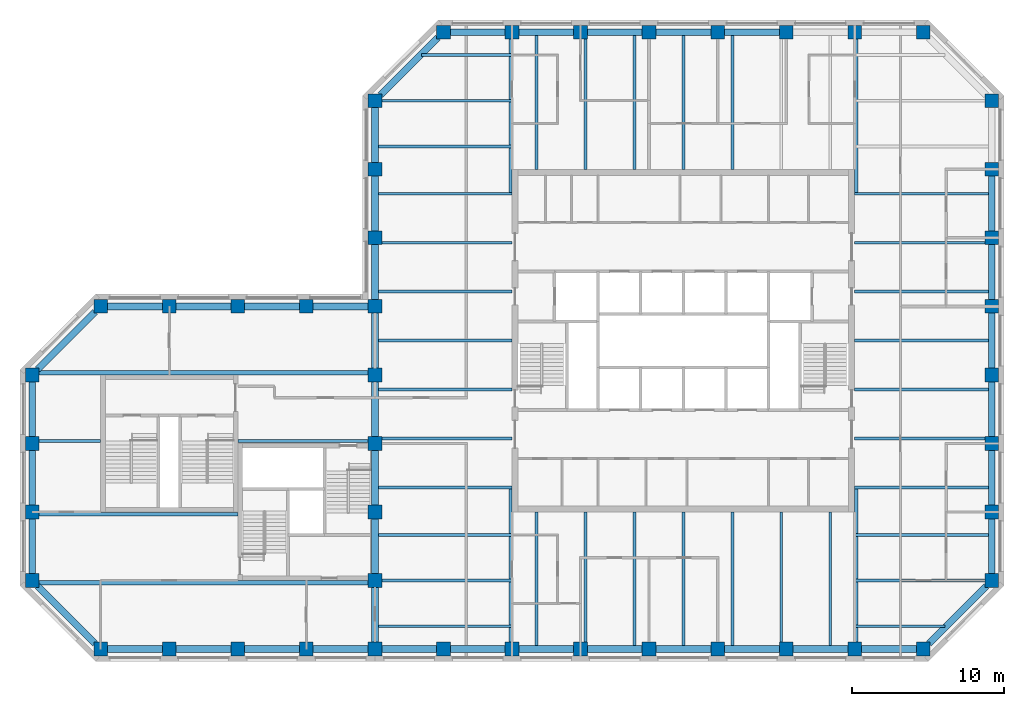
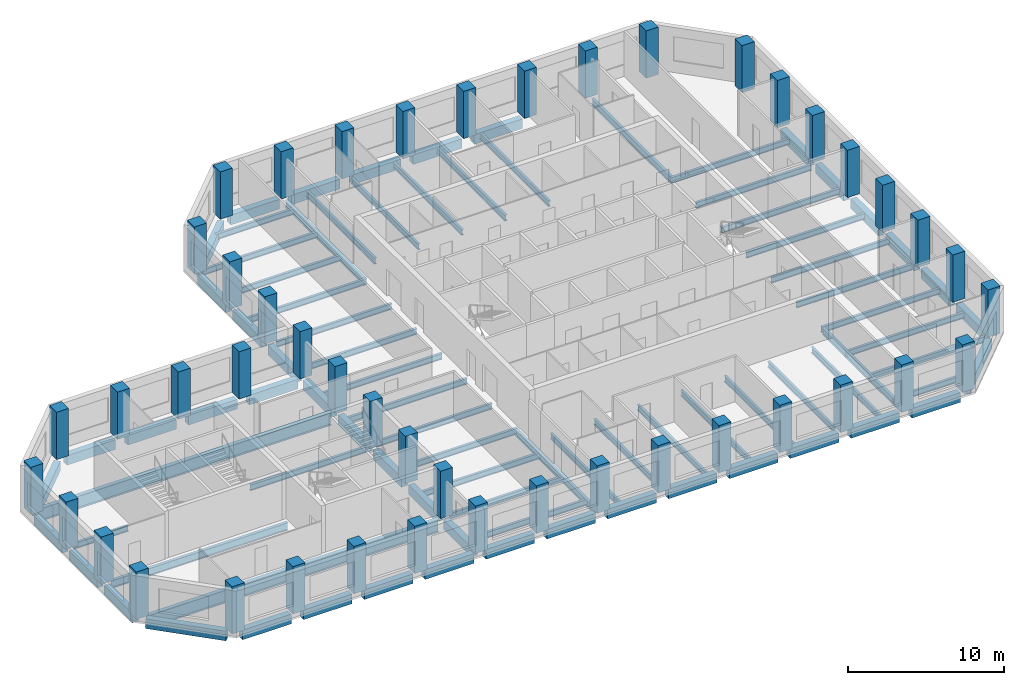
# One storey, part 1 of 9: 86 beams, 45 columns.
"""IFC4 building model written with IfcOpenShell, lengths in metres."""

from ifc_helpers import new_model, si_unit, direction, frame, origin, origin_2d, place, context, subcontext, project, spatial, rectangle, i_section, extrude, material, material_profile, profile_set, type_object, element, save


model = new_model("IFC4")

# Units and contexts
model_context = context("Model", 3, precision=1e-05, world=origin(), true_north=direction((0.0, 1.0)))
body_context = subcontext(model_context, "Body", "Model", "MODEL_VIEW")
ifc_project = project(units=[si_unit("LENGTHUNIT", "METRE"), si_unit("AREAUNIT", "SQUARE_METRE"), si_unit("VOLUMEUNIT", "CUBIC_METRE"), si_unit("PLANEANGLEUNIT", "RADIAN"), si_unit("MASSUNIT", "GRAM", prefix="KILO")], contexts=[model_context])

# Site, building, storey
site_placement = place(None, origin())
site = spatial("IfcSite", under=ifc_project, at=site_placement, CompositionType="ELEMENT")
building_placement = place(site_placement, origin())
building = spatial("IfcBuilding", under=site, at=building_placement, Name="Quoin Convention Tower", CompositionType="ELEMENT")
storey_placement = place(building_placement, frame((0.0, 0.0, 252.60009765625)))
storey = spatial("IfcBuildingStorey", under=building, at=storey_placement, Name="L66", CompositionType="ELEMENT", Elevation=252.60009765625)

# Columns
ifc_material_1 = material(Name="Concrete C50", Category="concrete")
ifc_material_profile_1 = material_profile(ifc_material_1, rectangle(XDim=0.89990234375, YDim=0.89990234375, at=origin_2d()), Name="RC 900x900")
ifc_profile_set_1 = profile_set([ifc_material_profile_1], Name="Concrete C50")
column_type = type_object("IfcColumnType", Name="RC 900x900 C50", PredefinedType="COLUMN", material=ifc_profile_set_1)
for number, where, z_axis, x_axis, name in (
    (1, (18.0, 40.5, 0.0), (0.0, 0.0, 1.0), (1.0, 0.0, 0.0), "col-L66-18000_40500"),
    (2, (22.5, 40.5, 0.0), (0.0, 0.0, 1.0), (1.0, 0.0, 0.0), "col-L66-22500_40500"),
    (3, (27.0, 40.5, 0.0), (0.0, 0.0, 1.0), (1.0, 0.0, 0.0), "col-L66-27000_40500"),
    (4, (31.5, 40.5, 0.0), (0.0, 0.0, 1.0), (1.0, 0.0, 0.0), "col-L66-31500_40500"),
    (5, (36.0, 40.5, 0.0), (0.0, 0.0, 1.0), (1.0, 0.0, 0.0), "col-L66-36000_40500"),
    (6, (40.5, 40.5, 0.0), (0.0, 0.0, 1.0), (1.0, 0.0, 0.0), "col-L66-40500_40500"),
    (7, (45.0, 40.5, 0.0), (0.0, 0.0, 1.0), (1.0, 0.0, 0.0), "col-L66-45000_40500"),
    (8, (49.5, 40.5, 0.0), (0.0, 0.0, 1.0), (1.0, 0.0, 0.0), "col-L66-49500_40500"),
    (9, (54.0, 40.5, 0.0), (0.0, 0.0, 1.0), (1.0, 0.0, 0.0), "col-L66-54000_40500"),
    (10, (58.5, 40.5, 0.0), (0.0, 0.0, 1.0), (1.0, 0.0, 0.0), "col-L66-58500_40500"),
    (11, (63.0, 40.5, 0.0), (0.0, 0.0, 1.0), (1.0, 0.0, 0.0), "col-L66-63000_40500"),
    (12, (67.5, 40.5, 0.0), (0.0, 0.0, 1.0), (1.0, 0.0, 0.0), "col-L66-67500_40500"),
    (13, (72.0, 40.5, 0.0), (0.0, 0.0, 1.0), (1.0, 0.0, 0.0), "col-L66-72000_40500"),
    (14, (13.5, 45.0, 0.0), (0.0, 0.0, 1.0), (1.0, 0.0, 0.0), "col-L66-13500_45000"),
    (15, (36.0, 45.0, 0.0), (0.0, 0.0, 1.0), (1.0, 0.0, 0.0), "web-L66-36000_45000"),
    (16, (76.5, 45.0, 0.0), (0.0, 0.0, 1.0), (1.0, 0.0, 0.0), "col-L66-76500_45000"),
    (17, (13.5, 49.5, 0.0), (0.0, 0.0, 1.0), (1.0, 0.0, 0.0), "col-L66-13500_49500"),
    (18, (36.0, 49.5, 0.0), (0.0, 0.0, 1.0), (1.0, 0.0, 0.0), "web-L66-36000_49500"),
    (19, (76.5, 49.5, 0.0), (0.0, 0.0, 1.0), (1.0, 0.0, 0.0), "col-L66-76500_49500"),
    (20, (13.5, 54.0, 0.0), (0.0, 0.0, 1.0), (1.0, 0.0, 0.0), "col-L66-13500_54000"),
    (21, (36.0, 54.0, 0.0), (0.0, 0.0, 1.0), (1.0, 0.0, 0.0), "web-L66-36000_54000"),
    (22, (76.5, 54.0, 0.0), (0.0, 0.0, 1.0), (1.0, 0.0, 0.0), "col-L66-76500_54000"),
    (23, (13.5, 58.5, 0.0), (0.0, 0.0, 1.0), (1.0, 0.0, 0.0), "col-L66-13500_58500"),
    (24, (36.0, 58.5, 0.0), (0.0, 0.0, 1.0), (1.0, 0.0, 0.0), "web-L66-36000_58500"),
    (25, (76.5, 58.5, 0.0), (0.0, 0.0, 1.0), (1.0, 0.0, 0.0), "col-L66-76500_58500"),
    (26, (18.0, 63.0, 0.0), (0.0, 0.0, 1.0), (1.0, 0.0, 0.0), "col-L66-18000_63000"),
    (27, (22.5, 63.0, 0.0), (0.0, 0.0, 1.0), (1.0, 0.0, 0.0), "col-L66-22500_63000"),
    (28, (27.0, 63.0, 0.0), (0.0, 0.0, 1.0), (1.0, 0.0, 0.0), "col-L66-27000_63000"),
    (29, (31.5, 63.0, 0.0), (0.0, 0.0, 1.0), (1.0, 0.0, 0.0), "col-L66-31500_63000"),
    (30, (36.0, 63.0, 0.0), (0.0, 0.0, 1.0), (1.0, 0.0, 0.0), "col-L66-36000_63000"),
    (31, (76.5, 63.0, 0.0), (0.0, 0.0, 1.0), (1.0, 0.0, 0.0), "col-L66-76500_63000"),
    (32, (36.0, 67.5, 0.0), (0.0, 0.0, 1.0), (1.0, 0.0, 0.0), "col-L66-36000_67500"),
    (33, (76.5, 67.5, 0.0), (0.0, 0.0, 1.0), (1.0, 0.0, 0.0), "col-L66-76500_67500"),
    (34, (36.0, 72.0, 0.0), (0.0, 0.0, 1.0), (1.0, 0.0, 0.0), "col-L66-36000_72000"),
    (35, (76.5, 72.0, 0.0), (0.0, 0.0, 1.0), (1.0, 0.0, 0.0), "col-L66-76500_72000"),
    (36, (36.0, 76.5, 0.0), (0.0, 0.0, 1.0), (1.0, 0.0, 0.0), "col-L66-36000_76500"),
    (37, (76.5, 76.5, 0.0), (0.0, 0.0, 1.0), (1.0, 0.0, 0.0), "col-L66-76500_76500"),
    (38, (40.5, 81.0, 0.0), (0.0, 0.0, 1.0), (1.0, 0.0, 0.0), "col-L66-40500_81000"),
    (39, (45.0, 81.0, 0.0), (0.0, 0.0, 1.0), (1.0, 0.0, 0.0), "col-L66-45000_81000"),
    (40, (49.5, 81.0, 0.0), (0.0, 0.0, 1.0), (1.0, 0.0, 0.0), "col-L66-49500_81000"),
    (41, (54.0, 81.0, 0.0), (0.0, 0.0, 1.0), (1.0, 0.0, 0.0), "col-L66-54000_81000"),
    (42, (58.5, 81.0, 0.0), (0.0, 0.0, 1.0), (1.0, 0.0, 0.0), "col-L66-58500_81000"),
    (43, (63.0, 81.0, 0.0), (0.0, 0.0, 1.0), (1.0, 0.0, 0.0), "col-L66-63000_81000"),
    (44, (67.5, 81.0, 0.0), (0.0, 0.0, 1.0), (1.0, 0.0, 0.0), "col-L66-67500_81000"),
    (45, (72.0, 81.0, 0.0), (0.0, 0.0, 1.0), (1.0, 0.0, 0.0), "col-L66-72000_81000"),
):
    element("IfcColumn", number, at=place(storey_placement, frame(where, z_axis=z_axis, x_axis=x_axis)), inside=storey, type_object=column_type, Name=name, PredefinedType="COLUMN", context=body_context, shape_type="SweptSolid", body=[
        extrude(rectangle(XDim=0.89990234375, YDim=0.89990234375, at=origin_2d()), origin(), (0.0, 0.0, 1.0), 3.699951171875),
    ])

# Beams
ifc_material_2 = material(Name="Steel Grade 300", Category="steel")
ifc_material_profile_2 = material_profile(ifc_material_2, i_section(OverallWidth=0.300048828125, OverallDepth=1.0, WebThickness=0.01611328125, FlangeThickness=0.02001953125, at=origin_2d()), Name="1000WB215")
ifc_profile_set_2 = profile_set([ifc_material_profile_2], Name="Steel Grade 300")
beam_type_1 = type_object("IfcBeamType", Name="1000WB215", PredefinedType="BEAM", material=ifc_profile_set_2)
for number, where, z_axis, x_axis, name in (
    (46, (13.949951171875, 44.85009765625, -0.650146484375), (1.0, 0.0, 0.0), (0.0, 1.0, 0.0), "gir-L66-ST2-1-0"),
    (47, (13.949951171875, 58.64990234375, -0.650146484375), (1.0, 0.0, 0.0), (0.0, 1.0, 0.0), "gir-L66-ST2-4-0"),
):
    element("IfcBeam", number, at=place(storey_placement, frame(where, z_axis=z_axis, x_axis=x_axis)), inside=storey, type_object=beam_type_1, Name=name, PredefinedType="BEAM", context=body_context, shape_type="SweptSolid", body=[
        extrude(i_section(OverallWidth=0.300048828125, OverallDepth=1.0, WebThickness=0.01611328125, FlangeThickness=0.02001953125, at=origin_2d()), origin(), (0.0, 0.0, 1.0), 21.60009765625),
    ])
ifc_material_profile_3 = material_profile(ifc_material_2, i_section(OverallWidth=0.18994140625, OverallDepth=0.4541015625, WebThickness=0.008544921875, FlangeThickness=0.0126953125, FilletRadius=0.011474609375, at=origin_2d()), Name="460UB67.1")
ifc_profile_set_3 = profile_set([ifc_material_profile_3], Name="Steel Grade 300")
beam_type_2 = type_object("IfcBeamType", Name="460UB67.1", PredefinedType="BEAM", material=ifc_profile_set_3)
beam_1_placement = place(storey_placement, frame((36.22509765625, 51.107177734375, -0.377197265625), z_axis=(1.0, 0.0, 0.0), x_axis=(0.0, 1.0, 0.0)))
element("IfcBeam", 48, at=beam_1_placement, inside=storey, type_object=beam_type_2, Name="bm-L66-T1W0", PredefinedType="BEAM", context=body_context, shape_type="SweptSolid", body=[
    extrude(i_section(OverallWidth=0.18994140625, OverallDepth=0.4541015625, WebThickness=0.008544921875, FlangeThickness=0.0126953125, FilletRadius=0.011474609375, at=origin_2d()), origin(), (0.0, 0.0, 1.0), 8.77490234375),
])
beam_2_placement = place(storey_placement, frame((36.449951171875, 54.3212890625, -0.377197265625), z_axis=(1.0, 0.0, 0.0), x_axis=(0.0, 1.0, 0.0)))
element("IfcBeam", 49, at=beam_2_placement, inside=storey, type_object=beam_type_2, Name="bm-L66-T1W1", PredefinedType="BEAM", context=body_context, shape_type="SweptSolid", body=[
    extrude(i_section(OverallWidth=0.18994140625, OverallDepth=0.4541015625, WebThickness=0.008544921875, FlangeThickness=0.0126953125, FilletRadius=0.011474609375, at=origin_2d()), origin(), (0.0, 0.0, 1.0), 8.550048828125),
])
for number, where, z_axis, x_axis, name in (
    (50, (36.22509765625, 57.53564453125, -0.377197265625), (1.0, 0.0, 0.0), (0.0, 1.0, 0.0), "bm-L66-T1W2"),
    (51, (36.22509765625, 60.75, -0.377197265625), (1.0, 0.0, 0.0), (0.0, 1.0, 0.0), "bm-L66-T1W3"),
    (52, (36.22509765625, 63.96435546875, -0.377197265625), (1.0, 0.0, 0.0), (0.0, 1.0, 0.0), "bm-L66-T1W4"),
):
    element("IfcBeam", number, at=place(storey_placement, frame(where, z_axis=z_axis, x_axis=x_axis)), inside=storey, type_object=beam_type_2, Name=name, PredefinedType="BEAM", context=body_context, shape_type="SweptSolid", body=[
        extrude(i_section(OverallWidth=0.18994140625, OverallDepth=0.4541015625, WebThickness=0.008544921875, FlangeThickness=0.0126953125, FilletRadius=0.011474609375, at=origin_2d()), origin(), (0.0, 0.0, 1.0), 8.77490234375),
    ])
beam_3_placement = place(storey_placement, frame((36.449951171875, 67.1787109375, -0.377197265625), z_axis=(1.0, 0.0, 0.0), x_axis=(0.0, 1.0, 0.0)))
element("IfcBeam", 53, at=beam_3_placement, inside=storey, type_object=beam_type_2, Name="bm-L66-T1W5", PredefinedType="BEAM", context=body_context, shape_type="SweptSolid", body=[
    extrude(i_section(OverallWidth=0.18994140625, OverallDepth=0.4541015625, WebThickness=0.008544921875, FlangeThickness=0.0126953125, FilletRadius=0.011474609375, at=origin_2d()), origin(), (0.0, 0.0, 1.0), 8.550048828125),
])
for number, where, z_axis, x_axis, name in (
    (54, (36.22509765625, 70.392822265625, -0.377197265625), (1.0, 0.0, 0.0), (0.0, 1.0, 0.0), "bm-L66-T1W6"),
    (55, (67.5, 51.107177734375, -0.377197265625), (1.0, 0.0, 0.0), (0.0, 1.0, 0.0), "bm-L66-T1E0"),
):
    element("IfcBeam", number, at=place(storey_placement, frame(where, z_axis=z_axis, x_axis=x_axis)), inside=storey, type_object=beam_type_2, Name=name, PredefinedType="BEAM", context=body_context, shape_type="SweptSolid", body=[
        extrude(i_section(OverallWidth=0.18994140625, OverallDepth=0.4541015625, WebThickness=0.008544921875, FlangeThickness=0.0126953125, FilletRadius=0.011474609375, at=origin_2d()), origin(), (0.0, 0.0, 1.0), 8.77490234375),
    ])
beam_4_placement = place(storey_placement, frame((67.5, 54.3212890625, -0.377197265625), z_axis=(1.0, 0.0, 0.0), x_axis=(0.0, 1.0, 0.0)))
element("IfcBeam", 56, at=beam_4_placement, inside=storey, type_object=beam_type_2, Name="bm-L66-T1E1", PredefinedType="BEAM", context=body_context, shape_type="SweptSolid", body=[
    extrude(i_section(OverallWidth=0.18994140625, OverallDepth=0.4541015625, WebThickness=0.008544921875, FlangeThickness=0.0126953125, FilletRadius=0.011474609375, at=origin_2d()), origin(), (0.0, 0.0, 1.0), 8.550048828125),
])
for number, where, z_axis, x_axis, name in (
    (57, (67.5, 57.53564453125, -0.377197265625), (1.0, 0.0, 0.0), (0.0, 1.0, 0.0), "bm-L66-T1E2"),
    (58, (67.5, 60.75, -0.377197265625), (1.0, 0.0, 0.0), (0.0, 1.0, 0.0), "bm-L66-T1E3"),
    (59, (67.5, 63.96435546875, -0.377197265625), (1.0, 0.0, 0.0), (0.0, 1.0, 0.0), "bm-L66-T1E4"),
):
    element("IfcBeam", number, at=place(storey_placement, frame(where, z_axis=z_axis, x_axis=x_axis)), inside=storey, type_object=beam_type_2, Name=name, PredefinedType="BEAM", context=body_context, shape_type="SweptSolid", body=[
        extrude(i_section(OverallWidth=0.18994140625, OverallDepth=0.4541015625, WebThickness=0.008544921875, FlangeThickness=0.0126953125, FilletRadius=0.011474609375, at=origin_2d()), origin(), (0.0, 0.0, 1.0), 8.77490234375),
    ])
beam_5_placement = place(storey_placement, frame((67.5, 67.1787109375, -0.377197265625), z_axis=(1.0, 0.0, 0.0), x_axis=(0.0, 1.0, 0.0)))
element("IfcBeam", 60, at=beam_5_placement, inside=storey, type_object=beam_type_2, Name="bm-L66-T1E5", PredefinedType="BEAM", context=body_context, shape_type="SweptSolid", body=[
    extrude(i_section(OverallWidth=0.18994140625, OverallDepth=0.4541015625, WebThickness=0.008544921875, FlangeThickness=0.0126953125, FilletRadius=0.011474609375, at=origin_2d()), origin(), (0.0, 0.0, 1.0), 8.550048828125),
])
for number, where, z_axis, x_axis, name in (
    (61, (67.5, 70.392822265625, -0.377197265625), (1.0, 0.0, 0.0), (0.0, 1.0, 0.0), "bm-L66-T1E6"),
    (62, (46.607177734375, 40.72509765625, -0.377197265625), (0.0, 1.0, 0.0), (-1.0, 0.0, 0.0), "bm-L66-T1S0"),
):
    element("IfcBeam", number, at=place(storey_placement, frame(where, z_axis=z_axis, x_axis=x_axis)), inside=storey, type_object=beam_type_2, Name=name, PredefinedType="BEAM", context=body_context, shape_type="SweptSolid", body=[
        extrude(i_section(OverallWidth=0.18994140625, OverallDepth=0.4541015625, WebThickness=0.008544921875, FlangeThickness=0.0126953125, FilletRadius=0.011474609375, at=origin_2d()), origin(), (0.0, 0.0, 1.0), 8.77490234375),
    ])
beam_6_placement = place(storey_placement, frame((49.8212890625, 40.949951171875, -0.377197265625), z_axis=(0.0, 1.0, 0.0), x_axis=(-1.0, 0.0, 0.0)))
element("IfcBeam", 63, at=beam_6_placement, inside=storey, type_object=beam_type_2, Name="bm-L66-T1S1", PredefinedType="BEAM", context=body_context, shape_type="SweptSolid", body=[
    extrude(i_section(OverallWidth=0.18994140625, OverallDepth=0.4541015625, WebThickness=0.008544921875, FlangeThickness=0.0126953125, FilletRadius=0.011474609375, at=origin_2d()), origin(), (0.0, 0.0, 1.0), 8.550048828125),
])
for number, where, z_axis, x_axis, name in (
    (64, (53.03564453125, 40.72509765625, -0.377197265625), (0.0, 1.0, 0.0), (-1.0, 0.0, 0.0), "bm-L66-T1S2"),
    (65, (56.25, 40.72509765625, -0.377197265625), (0.0, 1.0, 0.0), (-1.0, 0.0, 0.0), "bm-L66-T1S3"),
    (66, (59.46435546875, 40.72509765625, -0.377197265625), (0.0, 1.0, 0.0), (-1.0, 0.0, 0.0), "bm-L66-T1S4"),
):
    element("IfcBeam", number, at=place(storey_placement, frame(where, z_axis=z_axis, x_axis=x_axis)), inside=storey, type_object=beam_type_2, Name=name, PredefinedType="BEAM", context=body_context, shape_type="SweptSolid", body=[
        extrude(i_section(OverallWidth=0.18994140625, OverallDepth=0.4541015625, WebThickness=0.008544921875, FlangeThickness=0.0126953125, FilletRadius=0.011474609375, at=origin_2d()), origin(), (0.0, 0.0, 1.0), 8.77490234375),
    ])
beam_7_placement = place(storey_placement, frame((62.6787109375, 40.949951171875, -0.377197265625), z_axis=(0.0, 1.0, 0.0), x_axis=(-1.0, 0.0, 0.0)))
element("IfcBeam", 67, at=beam_7_placement, inside=storey, type_object=beam_type_2, Name="bm-L66-T1S5", PredefinedType="BEAM", context=body_context, shape_type="SweptSolid", body=[
    extrude(i_section(OverallWidth=0.18994140625, OverallDepth=0.4541015625, WebThickness=0.008544921875, FlangeThickness=0.0126953125, FilletRadius=0.011474609375, at=origin_2d()), origin(), (0.0, 0.0, 1.0), 8.550048828125),
])
for number, where, z_axis, x_axis, name in (
    (68, (65.892822265625, 40.72509765625, -0.377197265625), (0.0, 1.0, 0.0), (-1.0, 0.0, 0.0), "bm-L66-T1S6"),
    (69, (46.607177734375, 72.0, -0.377197265625), (0.0, 1.0, 0.0), (-1.0, 0.0, 0.0), "bm-L66-T1N0"),
):
    element("IfcBeam", number, at=place(storey_placement, frame(where, z_axis=z_axis, x_axis=x_axis)), inside=storey, type_object=beam_type_2, Name=name, PredefinedType="BEAM", context=body_context, shape_type="SweptSolid", body=[
        extrude(i_section(OverallWidth=0.18994140625, OverallDepth=0.4541015625, WebThickness=0.008544921875, FlangeThickness=0.0126953125, FilletRadius=0.011474609375, at=origin_2d()), origin(), (0.0, 0.0, 1.0), 8.77490234375),
    ])
beam_8_placement = place(storey_placement, frame((49.8212890625, 72.0, -0.377197265625), z_axis=(0.0, 1.0, 0.0), x_axis=(-1.0, 0.0, 0.0)))
element("IfcBeam", 70, at=beam_8_placement, inside=storey, type_object=beam_type_2, Name="bm-L66-T1N1", PredefinedType="BEAM", context=body_context, shape_type="SweptSolid", body=[
    extrude(i_section(OverallWidth=0.18994140625, OverallDepth=0.4541015625, WebThickness=0.008544921875, FlangeThickness=0.0126953125, FilletRadius=0.011474609375, at=origin_2d()), origin(), (0.0, 0.0, 1.0), 8.550048828125),
])
for number, where, z_axis, x_axis, name in (
    (71, (53.03564453125, 72.0, -0.377197265625), (0.0, 1.0, 0.0), (-1.0, 0.0, 0.0), "bm-L66-T1N2"),
    (72, (56.25, 72.0, -0.377197265625), (0.0, 1.0, 0.0), (-1.0, 0.0, 0.0), "bm-L66-T1N3"),
    (73, (59.46435546875, 72.0, -0.377197265625), (0.0, 1.0, 0.0), (-1.0, 0.0, 0.0), "bm-L66-T1N4"),
    (74, (36.22509765625, 42.0, -0.377197265625), (1.0, 0.0, 0.0), (0.0, 1.0, 0.0), "bm-L66-T1SW0"),
):
    element("IfcBeam", number, at=place(storey_placement, frame(where, z_axis=z_axis, x_axis=x_axis)), inside=storey, type_object=beam_type_2, Name=name, PredefinedType="BEAM", context=body_context, shape_type="SweptSolid", body=[
        extrude(i_section(OverallWidth=0.18994140625, OverallDepth=0.4541015625, WebThickness=0.008544921875, FlangeThickness=0.0126953125, FilletRadius=0.011474609375, at=origin_2d()), origin(), (0.0, 0.0, 1.0), 8.77490234375),
    ])
beam_9_placement = place(storey_placement, frame((36.449951171875, 45.0, -0.377197265625), z_axis=(1.0, 0.0, 0.0), x_axis=(0.0, 1.0, 0.0)))
element("IfcBeam", 75, at=beam_9_placement, inside=storey, type_object=beam_type_2, Name="bm-L66-T1SW1", PredefinedType="BEAM", context=body_context, shape_type="SweptSolid", body=[
    extrude(i_section(OverallWidth=0.18994140625, OverallDepth=0.4541015625, WebThickness=0.008544921875, FlangeThickness=0.0126953125, FilletRadius=0.011474609375, at=origin_2d()), origin(), (0.0, 0.0, 1.0), 8.550048828125),
])
beam_10_placement = place(storey_placement, frame((36.22509765625, 48.0, -0.377197265625), z_axis=(1.0, 0.0, 0.0), x_axis=(0.0, 1.0, 0.0)))
element("IfcBeam", 76, at=beam_10_placement, inside=storey, type_object=beam_type_2, Name="bm-L66-T1SW2", PredefinedType="BEAM", context=body_context, shape_type="SweptSolid", body=[
    extrude(i_section(OverallWidth=0.18994140625, OverallDepth=0.4541015625, WebThickness=0.008544921875, FlangeThickness=0.0126953125, FilletRadius=0.011474609375, at=origin_2d()), origin(), (0.0, 0.0, 1.0), 8.77490234375),
])
beam_11_placement = place(storey_placement, frame((67.5, 42.0, -0.377197265625), z_axis=(1.0, 0.0, 0.0), x_axis=(0.0, 1.0, 0.0)))
element("IfcBeam", 77, at=beam_11_placement, inside=storey, type_object=beam_type_2, Name="bm-L66-T1SE0", PredefinedType="BEAM", context=body_context, shape_type="SweptSolid", body=[
    extrude(i_section(OverallWidth=0.18994140625, OverallDepth=0.4541015625, WebThickness=0.008544921875, FlangeThickness=0.0126953125, FilletRadius=0.011474609375, at=origin_2d()), origin(), (0.0, 0.0, 1.0), 5.935791015625),
])
beam_12_placement = place(storey_placement, frame((67.5, 45.0, -0.377197265625), z_axis=(1.0, 0.0, 0.0), x_axis=(0.0, 1.0, 0.0)))
element("IfcBeam", 78, at=beam_12_placement, inside=storey, type_object=beam_type_2, Name="bm-L66-T1SE1", PredefinedType="BEAM", context=body_context, shape_type="SweptSolid", body=[
    extrude(i_section(OverallWidth=0.18994140625, OverallDepth=0.4541015625, WebThickness=0.008544921875, FlangeThickness=0.0126953125, FilletRadius=0.011474609375, at=origin_2d()), origin(), (0.0, 0.0, 1.0), 8.550048828125),
])
beam_13_placement = place(storey_placement, frame((67.5, 48.0, -0.377197265625), z_axis=(1.0, 0.0, 0.0), x_axis=(0.0, 1.0, 0.0)))
element("IfcBeam", 79, at=beam_13_placement, inside=storey, type_object=beam_type_2, Name="bm-L66-T1SE2", PredefinedType="BEAM", context=body_context, shape_type="SweptSolid", body=[
    extrude(i_section(OverallWidth=0.18994140625, OverallDepth=0.4541015625, WebThickness=0.008544921875, FlangeThickness=0.0126953125, FilletRadius=0.011474609375, at=origin_2d()), origin(), (0.0, 0.0, 1.0), 8.77490234375),
])
beam_14_placement = place(storey_placement, frame((39.064208984375, 79.5, -0.377197265625), z_axis=(1.0, 0.0, 0.0), x_axis=(0.0, 1.0, 0.0)))
element("IfcBeam", 80, at=beam_14_placement, inside=storey, type_object=beam_type_2, Name="bm-L66-T1NW0", PredefinedType="BEAM", context=body_context, shape_type="SweptSolid", body=[
    extrude(i_section(OverallWidth=0.18994140625, OverallDepth=0.4541015625, WebThickness=0.008544921875, FlangeThickness=0.0126953125, FilletRadius=0.011474609375, at=origin_2d()), origin(), (0.0, 0.0, 1.0), 5.935791015625),
])
beam_15_placement = place(storey_placement, frame((36.449951171875, 76.5, -0.377197265625), z_axis=(1.0, 0.0, 0.0), x_axis=(0.0, 1.0, 0.0)))
element("IfcBeam", 81, at=beam_15_placement, inside=storey, type_object=beam_type_2, Name="bm-L66-T1NW1", PredefinedType="BEAM", context=body_context, shape_type="SweptSolid", body=[
    extrude(i_section(OverallWidth=0.18994140625, OverallDepth=0.4541015625, WebThickness=0.008544921875, FlangeThickness=0.0126953125, FilletRadius=0.011474609375, at=origin_2d()), origin(), (0.0, 0.0, 1.0), 8.550048828125),
])
beam_16_placement = place(storey_placement, frame((36.22509765625, 73.5, -0.377197265625), z_axis=(1.0, 0.0, 0.0), x_axis=(0.0, 1.0, 0.0)))
element("IfcBeam", 82, at=beam_16_placement, inside=storey, type_object=beam_type_2, Name="bm-L66-T1NW2", PredefinedType="BEAM", context=body_context, shape_type="SweptSolid", body=[
    extrude(i_section(OverallWidth=0.18994140625, OverallDepth=0.4541015625, WebThickness=0.008544921875, FlangeThickness=0.0126953125, FilletRadius=0.011474609375, at=origin_2d()), origin(), (0.0, 0.0, 1.0), 8.77490234375),
])
beam_17_placement = place(storey_placement, frame((13.949951171875, 54.14990234375, -0.377197265625), z_axis=(1.0, 0.0, 0.0), x_axis=(0.0, 1.0, 0.0)))
element("IfcBeam", 83, at=beam_17_placement, inside=storey, type_object=beam_type_2, Name="gir-L66-ST2-3-0", PredefinedType="BEAM", context=body_context, shape_type="SweptSolid", body=[
    extrude(i_section(OverallWidth=0.18994140625, OverallDepth=0.4541015625, WebThickness=0.008544921875, FlangeThickness=0.0126953125, FilletRadius=0.011474609375, at=origin_2d()), origin(), (0.0, 0.0, 1.0), 4.050048828125),
])
beam_18_placement = place(storey_placement, frame((27.0, 54.14990234375, -0.377197265625), z_axis=(1.0, 0.0, 0.0), x_axis=(0.0, 1.0, 0.0)))
element("IfcBeam", 84, at=beam_18_placement, inside=storey, type_object=beam_type_2, Name="gir-L66-ST2-3-1", PredefinedType="BEAM", context=body_context, shape_type="SweptSolid", body=[
    extrude(i_section(OverallWidth=0.18994140625, OverallDepth=0.4541015625, WebThickness=0.008544921875, FlangeThickness=0.0126953125, FilletRadius=0.011474609375, at=origin_2d()), origin(), (0.0, 0.0, 1.0), 8.550048828125),
])
ifc_material_profile_4 = material_profile(ifc_material_2, i_section(OverallWidth=0.208984375, OverallDepth=0.528076171875, WebThickness=0.009521484375, FlangeThickness=0.01318359375, FilletRadius=0.013916015625, at=origin_2d()), Name="530UB82.0")
ifc_profile_set_4 = profile_set([ifc_material_profile_4], Name="Steel Grade 300")
beam_type_3 = type_object("IfcBeamType", Name="530UB82.0", PredefinedType="BEAM", material=ifc_profile_set_4)
for number, where, z_axis, x_axis, name in (
    (85, (44.904541015625, 40.949951171875, -0.4140625), (0.0, 1.0, 0.0), (-1.0, 0.0, 0.0), "gir-L66-T1SW"),
    (86, (67.595458984375, 40.949951171875, -0.4140625), (0.0, 1.0, 0.0), (-1.0, 0.0, 0.0), "gir-L66-T1SE"),
    (87, (44.904541015625, 80.550048828125, -0.4140625), (0.0, -1.0, 0.0), (1.0, 0.0, 0.0), "gir-L66-T1NW"),
    (88, (67.595458984375, 80.550048828125, -0.4140625), (0.0, -1.0, 0.0), (1.0, 0.0, 0.0), "gir-L66-T1NE"),
):
    element("IfcBeam", number, at=place(storey_placement, frame(where, z_axis=z_axis, x_axis=x_axis)), inside=storey, type_object=beam_type_3, Name=name, PredefinedType="BEAM", context=body_context, shape_type="SweptSolid", body=[
        extrude(i_section(OverallWidth=0.208984375, OverallDepth=0.528076171875, WebThickness=0.009521484375, FlangeThickness=0.01318359375, FilletRadius=0.013916015625, at=origin_2d()), origin(), (0.0, 0.0, 1.0), 10.062255859375),
    ])
ifc_material_profile_5 = material_profile(ifc_material_2, i_section(OverallWidth=0.22802734375, OverallDepth=0.60205078125, WebThickness=0.010498046875, FlangeThickness=0.014892578125, FilletRadius=0.013916015625, at=origin_2d()), Name="610UB101")
ifc_profile_set_5 = profile_set([ifc_material_profile_5], Name="Steel Grade 300")
beam_type_4 = type_object("IfcBeamType", Name="610UB101", PredefinedType="BEAM", material=ifc_profile_set_5)
beam_19_placement = place(storey_placement, frame((13.949951171875, 49.35009765625, -0.451171875), z_axis=(1.0, 0.0, 0.0), x_axis=(0.0, 1.0, 0.0)))
element("IfcBeam", 89, at=beam_19_placement, inside=storey, type_object=beam_type_4, Name="gir-L66-ST2-2-0", PredefinedType="BEAM", context=body_context, shape_type="SweptSolid", body=[
    extrude(i_section(OverallWidth=0.22802734375, OverallDepth=0.60205078125, WebThickness=0.010498046875, FlangeThickness=0.014892578125, FilletRadius=0.013916015625, at=origin_2d()), origin(), (0.0, 0.0, 1.0), 13.050048828125),
])
ifc_material_profile_6 = material_profile(ifc_material_1, rectangle(XDim=0.449951171875, YDim=0.75, at=origin_2d()), Name="RC 450x750")
ifc_profile_set_6 = profile_set([ifc_material_profile_6], Name="Concrete C50")
beam_type_5 = type_object("IfcBeamType", Name="RC 450x750 C50", PredefinedType="SPANDREL", material=ifc_profile_set_6)
for number, where, z_axis, x_axis, name in (
    (90, (36.449951171875, 40.5, -0.525146484375), (1.0, 0.0, 0.0), (0.0, 1.0, 0.0), "spd-L66-36000_40500-40500_40500"),
    (91, (40.949951171875, 40.5, -0.525146484375), (1.0, 0.0, 0.0), (0.0, 1.0, 0.0), "spd-L66-40500_40500-45000_40500"),
    (92, (45.449951171875, 40.5, -0.525146484375), (1.0, 0.0, 0.0), (0.0, 1.0, 0.0), "spd-L66-45000_40500-49500_40500"),
    (93, (49.949951171875, 40.5, -0.525146484375), (1.0, 0.0, 0.0), (0.0, 1.0, 0.0), "spd-L66-49500_40500-54000_40500"),
    (94, (54.449951171875, 40.5, -0.525146484375), (1.0, 0.0, 0.0), (0.0, 1.0, 0.0), "spd-L66-54000_40500-58500_40500"),
    (95, (58.949951171875, 40.5, -0.525146484375), (1.0, 0.0, 0.0), (0.0, 1.0, 0.0), "spd-L66-58500_40500-63000_40500"),
    (96, (63.449951171875, 40.5, -0.525146484375), (1.0, 0.0, 0.0), (0.0, 1.0, 0.0), "spd-L66-63000_40500-67500_40500"),
    (97, (67.949951171875, 40.5, -0.525146484375), (1.0, 0.0, 0.0), (0.0, 1.0, 0.0), "spd-L66-67500_40500-72000_40500"),
):
    element("IfcBeam", number, at=place(storey_placement, frame(where, z_axis=z_axis, x_axis=x_axis)), inside=storey, type_object=beam_type_5, Name=name, PredefinedType="SPANDREL", context=body_context, shape_type="SweptSolid", body=[
        extrude(rectangle(XDim=0.449951171875, YDim=0.75, at=origin_2d()), origin(), (0.0, 0.0, 1.0), 3.60009765625),
    ])
beam_20_placement = place(storey_placement, frame((72.364990234375, 40.864990234375, -0.525146484375), z_axis=(0.707106781187, 0.707106781187, 0.0), x_axis=(-0.707106781187, 0.707106781187, 0.0)))
element("IfcBeam", 98, at=beam_20_placement, inside=storey, type_object=beam_type_5, Name="spd-L66-72000_40500-76500_45000", PredefinedType="SPANDREL", context=body_context, shape_type="SweptSolid", body=[
    extrude(rectangle(XDim=0.449951171875, YDim=0.75, at=origin_2d()), origin(), (0.0, 0.0, 1.0), 5.33154296875),
])
for number, where, z_axis, x_axis, name in (
    (99, (76.5, 45.449951171875, -0.525146484375), (0.0, 1.0, 0.0), (-1.0, 0.0, 0.0), "spd-L66-76500_45000-76500_49500"),
    (100, (76.5, 49.949951171875, -0.525146484375), (0.0, 1.0, 0.0), (-1.0, 0.0, 0.0), "spd-L66-76500_49500-76500_54000"),
    (101, (76.5, 54.449951171875, -0.525146484375), (0.0, 1.0, 0.0), (-1.0, 0.0, 0.0), "spd-L66-76500_54000-76500_58500"),
    (102, (76.5, 58.949951171875, -0.525146484375), (0.0, 1.0, 0.0), (-1.0, 0.0, 0.0), "spd-L66-76500_58500-76500_63000"),
    (103, (76.5, 63.449951171875, -0.525146484375), (0.0, 1.0, 0.0), (-1.0, 0.0, 0.0), "spd-L66-76500_63000-76500_67500"),
    (104, (76.5, 67.949951171875, -0.525146484375), (0.0, 1.0, 0.0), (-1.0, 0.0, 0.0), "spd-L66-76500_67500-76500_72000"),
    (105, (62.550048828125, 81.0, -0.525146484375), (-1.0, 0.0, 0.0), (0.0, -1.0, 0.0), "spd-L66-63000_81000-58500_81000"),
    (106, (58.050048828125, 81.0, -0.525146484375), (-1.0, 0.0, 0.0), (0.0, -1.0, 0.0), "spd-L66-58500_81000-54000_81000"),
    (107, (53.550048828125, 81.0, -0.525146484375), (-1.0, 0.0, 0.0), (0.0, -1.0, 0.0), "spd-L66-54000_81000-49500_81000"),
    (108, (49.050048828125, 81.0, -0.525146484375), (-1.0, 0.0, 0.0), (0.0, -1.0, 0.0), "spd-L66-49500_81000-45000_81000"),
    (109, (44.550048828125, 81.0, -0.525146484375), (-1.0, 0.0, 0.0), (0.0, -1.0, 0.0), "spd-L66-45000_81000-40500_81000"),
):
    element("IfcBeam", number, at=place(storey_placement, frame(where, z_axis=z_axis, x_axis=x_axis)), inside=storey, type_object=beam_type_5, Name=name, PredefinedType="SPANDREL", context=body_context, shape_type="SweptSolid", body=[
        extrude(rectangle(XDim=0.449951171875, YDim=0.75, at=origin_2d()), origin(), (0.0, 0.0, 1.0), 3.60009765625),
    ])
beam_21_placement = place(storey_placement, frame((40.135009765625, 80.635009765625, -0.525146484375), z_axis=(-0.707106781187, -0.707106781187, 0.0), x_axis=(0.707106781187, -0.707106781187, 0.0)))
element("IfcBeam", 110, at=beam_21_placement, inside=storey, type_object=beam_type_5, Name="spd-L66-40500_81000-36000_76500", PredefinedType="SPANDREL", context=body_context, shape_type="SweptSolid", body=[
    extrude(rectangle(XDim=0.449951171875, YDim=0.75, at=origin_2d()), origin(), (0.0, 0.0, 1.0), 5.33154296875),
])
for number, where, z_axis, x_axis, name in (
    (111, (36.0, 76.050048828125, -0.525146484375), (0.0, -1.0, 0.0), (1.0, 0.0, 0.0), "spd-L66-36000_76500-36000_72000"),
    (112, (36.0, 71.550048828125, -0.525146484375), (0.0, -1.0, 0.0), (1.0, 0.0, 0.0), "spd-L66-36000_72000-36000_67500"),
    (113, (36.0, 67.050048828125, -0.525146484375), (0.0, -1.0, 0.0), (1.0, 0.0, 0.0), "spd-L66-36000_67500-36000_63000"),
    (114, (35.550048828125, 63.0, -0.525146484375), (-1.0, 0.0, 0.0), (0.0, -1.0, 0.0), "spd-L66-36000_63000-31500_63000"),
    (115, (31.050048828125, 63.0, -0.525146484375), (-1.0, 0.0, 0.0), (0.0, -1.0, 0.0), "spd-L66-31500_63000-27000_63000"),
    (116, (26.550048828125, 63.0, -0.525146484375), (-1.0, 0.0, 0.0), (0.0, -1.0, 0.0), "spd-L66-27000_63000-22500_63000"),
    (117, (22.050048828125, 63.0, -0.525146484375), (-1.0, 0.0, 0.0), (0.0, -1.0, 0.0), "spd-L66-22500_63000-18000_63000"),
):
    element("IfcBeam", number, at=place(storey_placement, frame(where, z_axis=z_axis, x_axis=x_axis)), inside=storey, type_object=beam_type_5, Name=name, PredefinedType="SPANDREL", context=body_context, shape_type="SweptSolid", body=[
        extrude(rectangle(XDim=0.449951171875, YDim=0.75, at=origin_2d()), origin(), (0.0, 0.0, 1.0), 3.60009765625),
    ])
beam_22_placement = place(storey_placement, frame((17.635009765625, 62.635009765625, -0.525146484375), z_axis=(-0.707106781187, -0.707106781187, 0.0), x_axis=(0.707106781187, -0.707106781187, 0.0)))
element("IfcBeam", 118, at=beam_22_placement, inside=storey, type_object=beam_type_5, Name="spd-L66-18000_63000-13500_58500", PredefinedType="SPANDREL", context=body_context, shape_type="SweptSolid", body=[
    extrude(rectangle(XDim=0.449951171875, YDim=0.75, at=origin_2d()), origin(), (0.0, 0.0, 1.0), 5.33154296875),
])
for number, where, z_axis, x_axis, name in (
    (119, (13.5, 58.050048828125, -0.525146484375), (0.0, -1.0, 0.0), (1.0, 0.0, 0.0), "spd-L66-13500_58500-13500_54000"),
    (120, (13.5, 53.550048828125, -0.525146484375), (0.0, -1.0, 0.0), (1.0, 0.0, 0.0), "spd-L66-13500_54000-13500_49500"),
    (121, (13.5, 49.050048828125, -0.525146484375), (0.0, -1.0, 0.0), (1.0, 0.0, 0.0), "spd-L66-13500_49500-13500_45000"),
):
    element("IfcBeam", number, at=place(storey_placement, frame(where, z_axis=z_axis, x_axis=x_axis)), inside=storey, type_object=beam_type_5, Name=name, PredefinedType="SPANDREL", context=body_context, shape_type="SweptSolid", body=[
        extrude(rectangle(XDim=0.449951171875, YDim=0.75, at=origin_2d()), origin(), (0.0, 0.0, 1.0), 3.60009765625),
    ])
beam_23_placement = place(storey_placement, frame((13.864990234375, 44.635009765625, -0.525146484375), z_axis=(0.707106781187, -0.707106781187, 0.0), x_axis=(0.707106781187, 0.707106781187, 0.0)))
element("IfcBeam", 122, at=beam_23_placement, inside=storey, type_object=beam_type_5, Name="spd-L66-13500_45000-18000_40500", PredefinedType="SPANDREL", context=body_context, shape_type="SweptSolid", body=[
    extrude(rectangle(XDim=0.449951171875, YDim=0.75, at=origin_2d()), origin(), (0.0, 0.0, 1.0), 5.33154296875),
])
for number, where, z_axis, x_axis, name in (
    (123, (18.449951171875, 40.5, -0.525146484375), (1.0, 0.0, 0.0), (0.0, 1.0, 0.0), "spd-L66-18000_40500-22500_40500"),
    (124, (22.949951171875, 40.5, -0.525146484375), (1.0, 0.0, 0.0), (0.0, 1.0, 0.0), "spd-L66-22500_40500-27000_40500"),
    (125, (27.449951171875, 40.5, -0.525146484375), (1.0, 0.0, 0.0), (0.0, 1.0, 0.0), "spd-L66-27000_40500-31500_40500"),
    (126, (31.949951171875, 40.5, -0.525146484375), (1.0, 0.0, 0.0), (0.0, 1.0, 0.0), "spd-L66-31500_40500-36000_40500"),
    (127, (36.0, 40.949951171875, -0.525146484375), (0.0, 1.0, 0.0), (-1.0, 0.0, 0.0), "spd-L66-36000_40500-36000_45000"),
    (128, (36.0, 45.449951171875, -0.525146484375), (0.0, 1.0, 0.0), (-1.0, 0.0, 0.0), "spd-L66-36000_45000-36000_49500"),
    (129, (36.0, 49.949951171875, -0.525146484375), (0.0, 1.0, 0.0), (-1.0, 0.0, 0.0), "spd-L66-36000_49500-36000_54000"),
    (130, (36.0, 54.449951171875, -0.525146484375), (0.0, 1.0, 0.0), (-1.0, 0.0, 0.0), "spd-L66-36000_54000-36000_58500"),
    (131, (36.0, 58.949951171875, -0.525146484375), (0.0, 1.0, 0.0), (-1.0, 0.0, 0.0), "spd-L66-36000_58500-36000_63000"),
):
    element("IfcBeam", number, at=place(storey_placement, frame(where, z_axis=z_axis, x_axis=x_axis)), inside=storey, type_object=beam_type_5, Name=name, PredefinedType="SPANDREL", context=body_context, shape_type="SweptSolid", body=[
        extrude(rectangle(XDim=0.449951171875, YDim=0.75, at=origin_2d()), origin(), (0.0, 0.0, 1.0), 3.60009765625),
    ])

save(model, "model.ifc")
